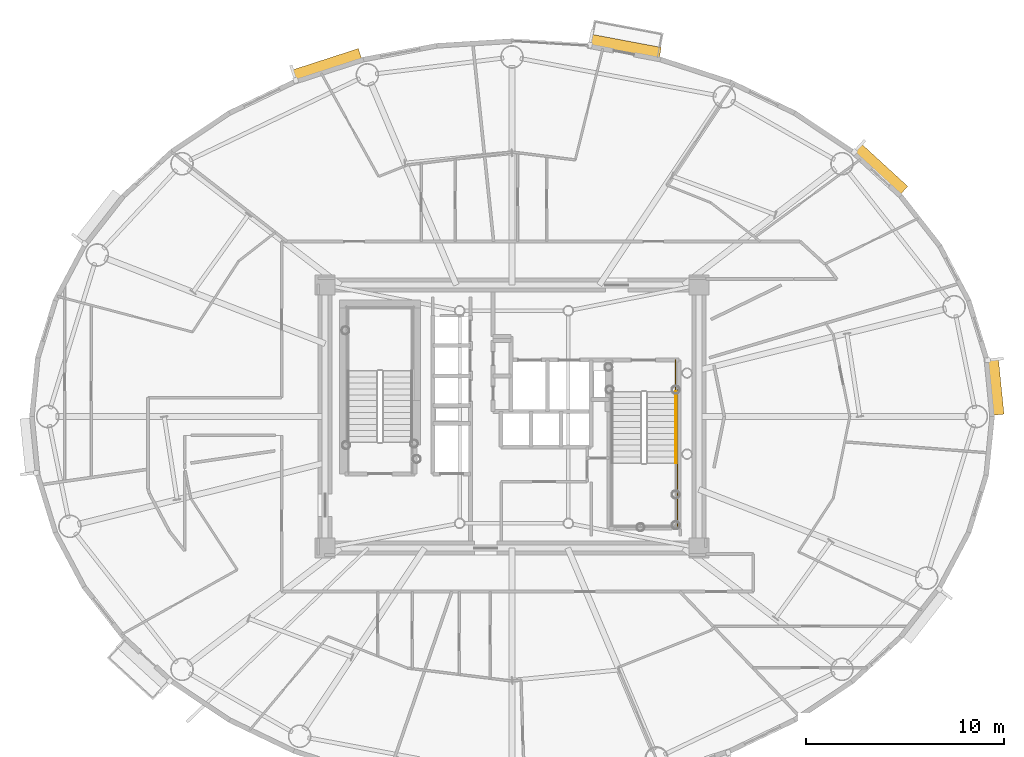
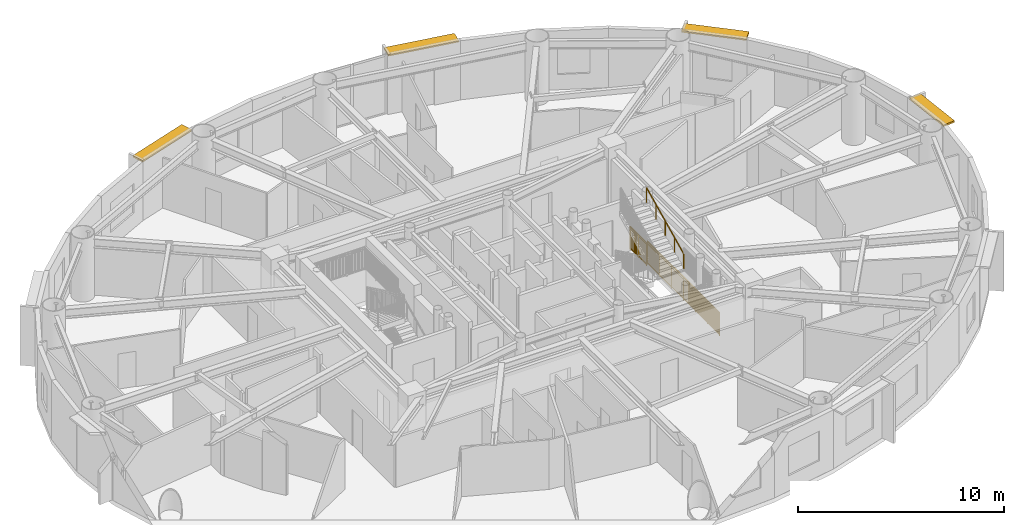
# One storey, part 19 of 20: 4 shading devices, 3 railings.
"""IFC4 building model written with IfcOpenShell, lengths in metres."""

from ifc_helpers import new_model, si_unit, direction, frame, origin, origin_2d, place, context, subcontext, project, spatial, rectangle, extrude, source, transform, mapped, material, layer, layer_set, type_object, element, save


model = new_model("IFC4")

# Units and contexts
model_context = context("Model", 3, precision=1e-05, world=origin(), true_north=direction((0.0, 1.0)))
body_context = subcontext(model_context, "Body", "Model", "MODEL_VIEW")
ifc_project = project(units=[si_unit("LENGTHUNIT", "METRE"), si_unit("AREAUNIT", "SQUARE_METRE"), si_unit("VOLUMEUNIT", "CUBIC_METRE"), si_unit("PLANEANGLEUNIT", "RADIAN"), si_unit("MASSUNIT", "GRAM", prefix="KILO")], contexts=[model_context])

# Site, building, storey
site_placement = place(None, origin())
site = spatial("IfcSite", under=ifc_project, at=site_placement, CompositionType="ELEMENT")
building_placement = place(site_placement, origin())
building = spatial("IfcBuilding", under=site, at=building_placement, Name="Linh Dai School and Residence Tower", CompositionType="ELEMENT")
storey_placement = place(building_placement, frame((0.0, 0.0, 232.800048828125)))
storey = spatial("IfcBuildingStorey", under=building, at=storey_placement, Name="L57", CompositionType="ELEMENT", Elevation=232.800048828125)

# Shading devices
ifc_material_1 = material(Name="Terracotta Ceramic Sunshade", Category="masonry")
ifc_layer = layer(ifc_material_1, 0.10009765625)
ifc_layer_set = layer_set([ifc_layer], Name="Terracotta Ceramic Sunshade")
shading_device_type = type_object("IfcShadingDeviceType", Name="SHD-TC-650", PredefinedType="USERDEFINED", material=ifc_layer_set)
shared_shape_1 = source(origin(), body_context, "Body", "SweptSolid", [
    extrude(rectangle(XDim=2.859619140625, YDim=0.64990234375, at=origin_2d()), origin(), (0.0, 0.0, 1.0), 0.10009765625),
])
shading_device_1_placement = place(storey_placement, frame((60.40966796875, 28.510498046875, 3.3798828125), z_axis=(0.0, 0.0, 1.0), x_axis=(0.100012244219, -0.99498620644, 0.0)))
element("IfcShadingDevice", 1, at=shading_device_1_placement, inside=storey, type_object=shading_device_type, Name="L57 Terracotta Horizontal Sunshade Band 01", ObjectType="SUNSHADE", PredefinedType="USERDEFINED", context=body_context, shape_type="MappedRepresentation", body=[
    mapped(shared_shape_1, transform((0.0, 0.0, 0.0), x_axis=(1.0, 0.0, 0.0), y_axis=(0.0, 1.0, 0.0), z_axis=(0.0, 0.0, 1.0), scale=1.0)),
])
shared_shape_2 = source(origin(), body_context, "Body", "SweptSolid", [
    extrude(rectangle(XDim=3.219482421875, YDim=0.64990234375, at=origin_2d()), origin(), (0.0, 0.0, 1.0), 0.10009765625),
])
shading_device_2_placement = place(storey_placement, frame((54.60498046875, 39.48779296875, 3.3798828125), z_axis=(0.0, 0.0, 1.0), x_axis=(0.737123938446, -0.675757574408, 0.0)))
element("IfcShadingDevice", 2, at=shading_device_2_placement, inside=storey, type_object=shading_device_type, Name="L57 Terracotta Horizontal Sunshade Band 05", ObjectType="SUNSHADE", PredefinedType="USERDEFINED", context=body_context, shape_type="MappedRepresentation", body=[
    mapped(shared_shape_2, transform((0.0, 0.0, 0.0), x_axis=(1.0, 0.0, 0.0), y_axis=(0.0, 1.0, 0.0), z_axis=(0.0, 0.0, 1.0), scale=1.0)),
])
shared_shape_3 = source(origin(), body_context, "Body", "SweptSolid", [
    extrude(rectangle(XDim=3.62158203125, YDim=0.64990234375, at=origin_2d()), origin(), (0.0, 0.0, 1.0), 0.10009765625),
])
shading_device_3_placement = place(storey_placement, frame((41.7080078125, 45.67724609375, 3.3798828125), z_axis=(0.0, 0.0, 1.0), x_axis=(0.982786586765, -0.18474448537, 0.0)))
element("IfcShadingDevice", 3, at=shading_device_3_placement, inside=storey, type_object=shading_device_type, Name="L57 Terracotta Horizontal Sunshade Band 09", ObjectType="SUNSHADE", PredefinedType="USERDEFINED", context=body_context, shape_type="MappedRepresentation", body=[
    mapped(shared_shape_3, transform((0.0, 0.0, 0.0), x_axis=(1.0, 0.0, 0.0), y_axis=(0.0, 1.0, 0.0), z_axis=(0.0, 0.0, 1.0), scale=1.0)),
])
shared_shape_4 = source(origin(), body_context, "Body", "SweptSolid", [
    extrude(rectangle(XDim=3.554443359375, YDim=0.64990234375, at=origin_2d()), origin(), (0.0, 0.0, 1.0), 0.10009765625),
])
shading_device_4_placement = place(storey_placement, frame((26.641845703125, 44.748779296875, 3.3798828125), z_axis=(0.0, 0.0, 1.0), x_axis=(0.951223997135, 0.308501065272, 0.0)))
element("IfcShadingDevice", 4, at=shading_device_4_placement, inside=storey, type_object=shading_device_type, Name="L57 Terracotta Horizontal Sunshade Band 13", ObjectType="SUNSHADE", PredefinedType="USERDEFINED", context=body_context, shape_type="MappedRepresentation", body=[
    mapped(shared_shape_4, transform((0.0, 0.0, 0.0), x_axis=(1.0, 0.0, 0.0), y_axis=(0.0, 1.0, 0.0), z_axis=(0.0, 0.0, 1.0), scale=1.0)),
])

# Railings
ifc_material_2 = material(Name="Brushed Stainless Steel Handrail", Category="steel")
railing_type_1 = type_object("IfcRailingType", Name="RL-ST-HANDRAIL-900", PredefinedType="HANDRAIL", material=ifc_material_2)
shared_shape_5 = source(origin(), body_context, "Body", "SweptSolid", [
    extrude(rectangle(XDim=0.048095703125, YDim=0.048095703125, at=origin_2d()), frame((0.0, 0.0, 0.8759765625), z_axis=(0.0, 0.901262522062, 0.433273431364), x_axis=(-1.0, 0.0, 0.0)), (0.0, 0.0, 1.0), 3.994384765625),
    extrude(rectangle(XDim=0.0419921875, YDim=0.0419921875, at=origin_2d()), origin(), (0.0, 0.0, 1.0), 0.8759765625),
    extrude(rectangle(XDim=0.0419921875, YDim=0.0419921875, at=origin_2d()), frame((0.0, 0.89990234375, 0.4326171875)), (0.0, 0.0, 1.0), 0.8759765625),
    extrude(rectangle(XDim=0.0419921875, YDim=0.0419921875, at=origin_2d()), frame((0.0, 1.800048828125, 0.865234375)), (0.0, 0.0, 1.0), 0.8759765625),
    extrude(rectangle(XDim=0.0419921875, YDim=0.0419921875, at=origin_2d()), frame((0.0, 2.7001953125, 1.298095703125)), (0.0, 0.0, 1.0), 0.8759765625),
    extrude(rectangle(XDim=0.0419921875, YDim=0.0419921875, at=origin_2d()), frame((0.0, 3.60009765625, 1.730712890625)), (0.0, 0.0, 1.0), 0.8759765625),
])
railing_1_placement = place(storey_placement, frame((44.27001953125, 24.64990234375, 2.019287109375)))
element("IfcRailing", 5, at=railing_1_placement, inside=storey, type_object=railing_type_1, Name="L57 ST2 stair handrail 2", PredefinedType="HANDRAIL", context=body_context, shape_type="MappedRepresentation", body=[
    mapped(shared_shape_5, transform((0.0, 0.0, 0.0), x_axis=(1.0, 0.0, 0.0), y_axis=(0.0, 1.0, 0.0), z_axis=(0.0, 0.0, 1.0), scale=1.0)),
])
ifc_material_3 = material(Name="Structural Steel S355JR", Category="steel")
railing_type_2 = type_object("IfcRailingType", Name="RL-ST-GUARD-1400", PredefinedType="GUARDRAIL", material=ifc_material_3)
shared_shape_6 = source(origin(), body_context, "Body", "SweptSolid", [
    extrude(rectangle(XDim=0.048095703125, YDim=0.048095703125, at=origin_2d()), frame((0.0, 0.0, 1.3759765625), z_axis=(0.0, -1.0, 0.0), x_axis=(1.0, 0.0, 0.0)), (0.0, 0.0, 1.0), 1.60009765625),
    extrude(rectangle(XDim=0.048095703125, YDim=0.048095703125, at=origin_2d()), frame((0.0, 0.0, 0.10009765625), z_axis=(0.0, -1.0, 0.0), x_axis=(1.0, 0.0, 0.0)), (0.0, 0.0, 1.0), 1.60009765625),
    extrude(rectangle(XDim=0.030029296875, YDim=0.030029296875, at=origin_2d()), frame((0.0, 0.0, 1.239990234375), z_axis=(0.0, -1.0, 0.0), x_axis=(1.0, 0.0, 0.0)), (0.0, 0.0, 1.0), 1.60009765625),
    extrude(rectangle(XDim=0.02001953125, YDim=0.02001953125, at=origin_2d()), frame((0.0, -0.09423828125, 0.10009765625)), (0.0, 0.0, 1.0), 1.251708984375),
    extrude(rectangle(XDim=0.02001953125, YDim=0.02001953125, at=origin_2d()), frame((0.0, -0.188232421875, 0.10009765625)), (0.0, 0.0, 1.0), 1.251708984375),
    extrude(rectangle(XDim=0.02001953125, YDim=0.02001953125, at=origin_2d()), frame((0.0, -0.282470703125, 0.10009765625)), (0.0, 0.0, 1.0), 1.251708984375),
    extrude(rectangle(XDim=0.02001953125, YDim=0.02001953125, at=origin_2d()), frame((0.0, -0.37646484375, 0.10009765625)), (0.0, 0.0, 1.0), 1.251708984375),
    extrude(rectangle(XDim=0.02001953125, YDim=0.02001953125, at=origin_2d()), frame((0.0, -0.470703125, 0.10009765625)), (0.0, 0.0, 1.0), 1.251708984375),
    extrude(rectangle(XDim=0.02001953125, YDim=0.02001953125, at=origin_2d()), frame((0.0, -0.564697265625, 0.10009765625)), (0.0, 0.0, 1.0), 1.251708984375),
    extrude(rectangle(XDim=0.02001953125, YDim=0.02001953125, at=origin_2d()), frame((0.0, -0.658935546875, 0.10009765625)), (0.0, 0.0, 1.0), 1.251708984375),
    extrude(rectangle(XDim=0.02001953125, YDim=0.02001953125, at=origin_2d()), frame((0.0, -0.7529296875, 0.10009765625)), (0.0, 0.0, 1.0), 1.251708984375),
    extrude(rectangle(XDim=0.02001953125, YDim=0.02001953125, at=origin_2d()), frame((0.0, -0.84716796875, 0.10009765625)), (0.0, 0.0, 1.0), 1.251708984375),
    extrude(rectangle(XDim=0.02001953125, YDim=0.02001953125, at=origin_2d()), frame((0.0, -0.941162109375, 0.10009765625)), (0.0, 0.0, 1.0), 1.251708984375),
    extrude(rectangle(XDim=0.02001953125, YDim=0.02001953125, at=origin_2d()), frame((0.0, -1.035400390625, 0.10009765625)), (0.0, 0.0, 1.0), 1.251708984375),
    extrude(rectangle(XDim=0.02001953125, YDim=0.02001953125, at=origin_2d()), frame((0.0, -1.12939453125, 0.10009765625)), (0.0, 0.0, 1.0), 1.251708984375),
    extrude(rectangle(XDim=0.02001953125, YDim=0.02001953125, at=origin_2d()), frame((0.0, -1.2236328125, 0.10009765625)), (0.0, 0.0, 1.0), 1.251708984375),
    extrude(rectangle(XDim=0.02001953125, YDim=0.02001953125, at=origin_2d()), frame((0.0, -1.317626953125, 0.10009765625)), (0.0, 0.0, 1.0), 1.251708984375),
    extrude(rectangle(XDim=0.02001953125, YDim=0.02001953125, at=origin_2d()), frame((0.0, -1.411865234375, 0.10009765625)), (0.0, 0.0, 1.0), 1.251708984375),
    extrude(rectangle(XDim=0.02001953125, YDim=0.02001953125, at=origin_2d()), frame((0.0, -1.505859375, 0.10009765625)), (0.0, 0.0, 1.0), 1.251708984375),
    extrude(rectangle(XDim=0.0419921875, YDim=0.0419921875, at=origin_2d()), origin(), (0.0, 0.0, 1.0), 1.3759765625),
    extrude(rectangle(XDim=0.0419921875, YDim=0.0419921875, at=origin_2d()), frame((0.0, -0.800048828125, 0.0)), (0.0, 0.0, 1.0), 1.3759765625),
    extrude(rectangle(XDim=0.0419921875, YDim=0.0419921875, at=origin_2d()), frame((0.0, -1.60009765625, 0.0)), (0.0, 0.0, 1.0), 1.3759765625),
])
railing_2_placement = place(storey_placement, frame((44.27001953125, 29.85009765625, 0.0)))
element("IfcRailing", 6, at=railing_2_placement, inside=storey, type_object=railing_type_2, Name="L57 ST2 stair guard 9", PredefinedType="GUARDRAIL", context=body_context, shape_type="MappedRepresentation", body=[
    mapped(shared_shape_6, transform((0.0, 0.0, 0.0), x_axis=(1.0, 0.0, 0.0), y_axis=(0.0, 1.0, 0.0), z_axis=(0.0, 0.0, 1.0), scale=1.0)),
])
shared_shape_7 = source(origin(), body_context, "Body", "SweptSolid", [
    extrude(rectangle(XDim=0.048095703125, YDim=0.048095703125, at=origin_2d()), frame((0.0, 0.0, 1.3759765625), z_axis=(0.0, -1.0, 0.0), x_axis=(1.0, 0.0, 0.0)), (0.0, 0.0, 1.0), 7.0),
    extrude(rectangle(XDim=0.048095703125, YDim=0.048095703125, at=origin_2d()), frame((0.0, 0.0, 0.10009765625), z_axis=(0.0, -1.0, 0.0), x_axis=(1.0, 0.0, 0.0)), (0.0, 0.0, 1.0), 7.0),
    extrude(rectangle(XDim=0.030029296875, YDim=0.030029296875, at=origin_2d()), frame((0.0, 0.0, 1.239990234375), z_axis=(0.0, -1.0, 0.0), x_axis=(1.0, 0.0, 0.0)), (0.0, 0.0, 1.0), 7.0),
    extrude(rectangle(XDim=0.02001953125, YDim=0.02001953125, at=origin_2d()), frame((0.0, -0.09716796875, 0.10009765625)), (0.0, 0.0, 1.0), 1.251708984375),
    extrude(rectangle(XDim=0.02001953125, YDim=0.02001953125, at=origin_2d()), frame((0.0, -0.1943359375, 0.10009765625)), (0.0, 0.0, 1.0), 1.251708984375),
    extrude(rectangle(XDim=0.02001953125, YDim=0.02001953125, at=origin_2d()), frame((0.0, -0.291748046875, 0.10009765625)), (0.0, 0.0, 1.0), 1.251708984375),
    extrude(rectangle(XDim=0.02001953125, YDim=0.02001953125, at=origin_2d()), frame((0.0, -0.388916015625, 0.10009765625)), (0.0, 0.0, 1.0), 1.251708984375),
    extrude(rectangle(XDim=0.02001953125, YDim=0.02001953125, at=origin_2d()), frame((0.0, -0.486083984375, 0.10009765625)), (0.0, 0.0, 1.0), 1.251708984375),
    extrude(rectangle(XDim=0.02001953125, YDim=0.02001953125, at=origin_2d()), frame((0.0, -0.583251953125, 0.10009765625)), (0.0, 0.0, 1.0), 1.251708984375),
    extrude(rectangle(XDim=0.02001953125, YDim=0.02001953125, at=origin_2d()), frame((0.0, -0.6806640625, 0.10009765625)), (0.0, 0.0, 1.0), 1.251708984375),
    extrude(rectangle(XDim=0.02001953125, YDim=0.02001953125, at=origin_2d()), frame((0.0, -0.77783203125, 0.10009765625)), (0.0, 0.0, 1.0), 1.251708984375),
    extrude(rectangle(XDim=0.02001953125, YDim=0.02001953125, at=origin_2d()), frame((0.0, -0.875, 0.10009765625)), (0.0, 0.0, 1.0), 1.251708984375),
    extrude(rectangle(XDim=0.02001953125, YDim=0.02001953125, at=origin_2d()), frame((0.0, -0.97216796875, 0.10009765625)), (0.0, 0.0, 1.0), 1.251708984375),
    extrude(rectangle(XDim=0.02001953125, YDim=0.02001953125, at=origin_2d()), frame((0.0, -1.0693359375, 0.10009765625)), (0.0, 0.0, 1.0), 1.251708984375),
    extrude(rectangle(XDim=0.02001953125, YDim=0.02001953125, at=origin_2d()), frame((0.0, -1.263916015625, 0.10009765625)), (0.0, 0.0, 1.0), 1.251708984375),
    extrude(rectangle(XDim=0.02001953125, YDim=0.02001953125, at=origin_2d()), frame((0.0, -1.361083984375, 0.10009765625)), (0.0, 0.0, 1.0), 1.251708984375),
    extrude(rectangle(XDim=0.02001953125, YDim=0.02001953125, at=origin_2d()), frame((0.0, -1.458251953125, 0.10009765625)), (0.0, 0.0, 1.0), 1.251708984375),
    extrude(rectangle(XDim=0.02001953125, YDim=0.02001953125, at=origin_2d()), frame((0.0, -1.5556640625, 0.10009765625)), (0.0, 0.0, 1.0), 1.251708984375),
    extrude(rectangle(XDim=0.02001953125, YDim=0.02001953125, at=origin_2d()), frame((0.0, -1.65283203125, 0.10009765625)), (0.0, 0.0, 1.0), 1.251708984375),
    extrude(rectangle(XDim=0.02001953125, YDim=0.02001953125, at=origin_2d()), frame((0.0, -1.75, 0.10009765625)), (0.0, 0.0, 1.0), 1.251708984375),
    extrude(rectangle(XDim=0.02001953125, YDim=0.02001953125, at=origin_2d()), frame((0.0, -1.84716796875, 0.10009765625)), (0.0, 0.0, 1.0), 1.251708984375),
    extrude(rectangle(XDim=0.02001953125, YDim=0.02001953125, at=origin_2d()), frame((0.0, -1.9443359375, 0.10009765625)), (0.0, 0.0, 1.0), 1.251708984375),
    extrude(rectangle(XDim=0.02001953125, YDim=0.02001953125, at=origin_2d()), frame((0.0, -2.041748046875, 0.10009765625)), (0.0, 0.0, 1.0), 1.251708984375),
    extrude(rectangle(XDim=0.02001953125, YDim=0.02001953125, at=origin_2d()), frame((0.0, -2.138916015625, 0.10009765625)), (0.0, 0.0, 1.0), 1.251708984375),
    extrude(rectangle(XDim=0.02001953125, YDim=0.02001953125, at=origin_2d()), frame((0.0, -2.236083984375, 0.10009765625)), (0.0, 0.0, 1.0), 1.251708984375),
    extrude(rectangle(XDim=0.02001953125, YDim=0.02001953125, at=origin_2d()), frame((0.0, -2.4306640625, 0.10009765625)), (0.0, 0.0, 1.0), 1.251708984375),
    extrude(rectangle(XDim=0.02001953125, YDim=0.02001953125, at=origin_2d()), frame((0.0, -2.52783203125, 0.10009765625)), (0.0, 0.0, 1.0), 1.251708984375),
    extrude(rectangle(XDim=0.02001953125, YDim=0.02001953125, at=origin_2d()), frame((0.0, -2.625, 0.10009765625)), (0.0, 0.0, 1.0), 1.251708984375),
    extrude(rectangle(XDim=0.02001953125, YDim=0.02001953125, at=origin_2d()), frame((0.0, -2.72216796875, 0.10009765625)), (0.0, 0.0, 1.0), 1.251708984375),
    extrude(rectangle(XDim=0.02001953125, YDim=0.02001953125, at=origin_2d()), frame((0.0, -2.8193359375, 0.10009765625)), (0.0, 0.0, 1.0), 1.251708984375),
    extrude(rectangle(XDim=0.02001953125, YDim=0.02001953125, at=origin_2d()), frame((0.0, -2.916748046875, 0.10009765625)), (0.0, 0.0, 1.0), 1.251708984375),
    extrude(rectangle(XDim=0.02001953125, YDim=0.02001953125, at=origin_2d()), frame((0.0, -3.013916015625, 0.10009765625)), (0.0, 0.0, 1.0), 1.251708984375),
    extrude(rectangle(XDim=0.02001953125, YDim=0.02001953125, at=origin_2d()), frame((0.0, -3.111083984375, 0.10009765625)), (0.0, 0.0, 1.0), 1.251708984375),
    extrude(rectangle(XDim=0.02001953125, YDim=0.02001953125, at=origin_2d()), frame((0.0, -3.208251953125, 0.10009765625)), (0.0, 0.0, 1.0), 1.251708984375),
    extrude(rectangle(XDim=0.02001953125, YDim=0.02001953125, at=origin_2d()), frame((0.0, -3.3056640625, 0.10009765625)), (0.0, 0.0, 1.0), 1.251708984375),
    extrude(rectangle(XDim=0.02001953125, YDim=0.02001953125, at=origin_2d()), frame((0.0, -3.40283203125, 0.10009765625)), (0.0, 0.0, 1.0), 1.251708984375),
    extrude(rectangle(XDim=0.02001953125, YDim=0.02001953125, at=origin_2d()), frame((0.0, -3.59716796875, 0.10009765625)), (0.0, 0.0, 1.0), 1.251708984375),
    extrude(rectangle(XDim=0.02001953125, YDim=0.02001953125, at=origin_2d()), frame((0.0, -3.6943359375, 0.10009765625)), (0.0, 0.0, 1.0), 1.251708984375),
    extrude(rectangle(XDim=0.02001953125, YDim=0.02001953125, at=origin_2d()), frame((0.0, -3.791748046875, 0.10009765625)), (0.0, 0.0, 1.0), 1.251708984375),
    extrude(rectangle(XDim=0.02001953125, YDim=0.02001953125, at=origin_2d()), frame((0.0, -3.888916015625, 0.10009765625)), (0.0, 0.0, 1.0), 1.251708984375),
    extrude(rectangle(XDim=0.02001953125, YDim=0.02001953125, at=origin_2d()), frame((0.0, -3.986083984375, 0.10009765625)), (0.0, 0.0, 1.0), 1.251708984375),
    extrude(rectangle(XDim=0.02001953125, YDim=0.02001953125, at=origin_2d()), frame((0.0, -4.083251953125, 0.10009765625)), (0.0, 0.0, 1.0), 1.251708984375),
    extrude(rectangle(XDim=0.02001953125, YDim=0.02001953125, at=origin_2d()), frame((0.0, -4.1806640625, 0.10009765625)), (0.0, 0.0, 1.0), 1.251708984375),
    extrude(rectangle(XDim=0.02001953125, YDim=0.02001953125, at=origin_2d()), frame((0.0, -4.27783203125, 0.10009765625)), (0.0, 0.0, 1.0), 1.251708984375),
    extrude(rectangle(XDim=0.02001953125, YDim=0.02001953125, at=origin_2d()), frame((0.0, -4.375, 0.10009765625)), (0.0, 0.0, 1.0), 1.251708984375),
    extrude(rectangle(XDim=0.02001953125, YDim=0.02001953125, at=origin_2d()), frame((0.0, -4.47216796875, 0.10009765625)), (0.0, 0.0, 1.0), 1.251708984375),
    extrude(rectangle(XDim=0.02001953125, YDim=0.02001953125, at=origin_2d()), frame((0.0, -4.5693359375, 0.10009765625)), (0.0, 0.0, 1.0), 1.251708984375),
    extrude(rectangle(XDim=0.02001953125, YDim=0.02001953125, at=origin_2d()), frame((0.0, -4.763916015625, 0.10009765625)), (0.0, 0.0, 1.0), 1.251708984375),
    extrude(rectangle(XDim=0.02001953125, YDim=0.02001953125, at=origin_2d()), frame((0.0, -4.861083984375, 0.10009765625)), (0.0, 0.0, 1.0), 1.251708984375),
    extrude(rectangle(XDim=0.02001953125, YDim=0.02001953125, at=origin_2d()), frame((0.0, -4.958251953125, 0.10009765625)), (0.0, 0.0, 1.0), 1.251708984375),
    extrude(rectangle(XDim=0.02001953125, YDim=0.02001953125, at=origin_2d()), frame((0.0, -5.0556640625, 0.10009765625)), (0.0, 0.0, 1.0), 1.251708984375),
    extrude(rectangle(XDim=0.02001953125, YDim=0.02001953125, at=origin_2d()), frame((0.0, -5.15283203125, 0.10009765625)), (0.0, 0.0, 1.0), 1.251708984375),
    extrude(rectangle(XDim=0.02001953125, YDim=0.02001953125, at=origin_2d()), frame((0.0, -5.25, 0.10009765625)), (0.0, 0.0, 1.0), 1.251708984375),
    extrude(rectangle(XDim=0.02001953125, YDim=0.02001953125, at=origin_2d()), frame((0.0, -5.34716796875, 0.10009765625)), (0.0, 0.0, 1.0), 1.251708984375),
    extrude(rectangle(XDim=0.02001953125, YDim=0.02001953125, at=origin_2d()), frame((0.0, -5.4443359375, 0.10009765625)), (0.0, 0.0, 1.0), 1.251708984375),
    extrude(rectangle(XDim=0.02001953125, YDim=0.02001953125, at=origin_2d()), frame((0.0, -5.541748046875, 0.10009765625)), (0.0, 0.0, 1.0), 1.251708984375),
    extrude(rectangle(XDim=0.02001953125, YDim=0.02001953125, at=origin_2d()), frame((0.0, -5.638916015625, 0.10009765625)), (0.0, 0.0, 1.0), 1.251708984375),
    extrude(rectangle(XDim=0.02001953125, YDim=0.02001953125, at=origin_2d()), frame((0.0, -5.736083984375, 0.10009765625)), (0.0, 0.0, 1.0), 1.251708984375),
    extrude(rectangle(XDim=0.02001953125, YDim=0.02001953125, at=origin_2d()), frame((0.0, -5.9306640625, 0.10009765625)), (0.0, 0.0, 1.0), 1.251708984375),
    extrude(rectangle(XDim=0.02001953125, YDim=0.02001953125, at=origin_2d()), frame((0.0, -6.02783203125, 0.10009765625)), (0.0, 0.0, 1.0), 1.251708984375),
    extrude(rectangle(XDim=0.02001953125, YDim=0.02001953125, at=origin_2d()), frame((0.0, -6.125, 0.10009765625)), (0.0, 0.0, 1.0), 1.251708984375),
    extrude(rectangle(XDim=0.02001953125, YDim=0.02001953125, at=origin_2d()), frame((0.0, -6.22216796875, 0.10009765625)), (0.0, 0.0, 1.0), 1.251708984375),
    extrude(rectangle(XDim=0.02001953125, YDim=0.02001953125, at=origin_2d()), frame((0.0, -6.3193359375, 0.10009765625)), (0.0, 0.0, 1.0), 1.251708984375),
    extrude(rectangle(XDim=0.02001953125, YDim=0.02001953125, at=origin_2d()), frame((0.0, -6.416748046875, 0.10009765625)), (0.0, 0.0, 1.0), 1.251708984375),
    extrude(rectangle(XDim=0.02001953125, YDim=0.02001953125, at=origin_2d()), frame((0.0, -6.513916015625, 0.10009765625)), (0.0, 0.0, 1.0), 1.251708984375),
    extrude(rectangle(XDim=0.02001953125, YDim=0.02001953125, at=origin_2d()), frame((0.0, -6.611083984375, 0.10009765625)), (0.0, 0.0, 1.0), 1.251708984375),
    extrude(rectangle(XDim=0.02001953125, YDim=0.02001953125, at=origin_2d()), frame((0.0, -6.708251953125, 0.10009765625)), (0.0, 0.0, 1.0), 1.251708984375),
    extrude(rectangle(XDim=0.02001953125, YDim=0.02001953125, at=origin_2d()), frame((0.0, -6.8056640625, 0.10009765625)), (0.0, 0.0, 1.0), 1.251708984375),
    extrude(rectangle(XDim=0.02001953125, YDim=0.02001953125, at=origin_2d()), frame((0.0, -6.90283203125, 0.10009765625)), (0.0, 0.0, 1.0), 1.251708984375),
    extrude(rectangle(XDim=0.0419921875, YDim=0.0419921875, at=origin_2d()), origin(), (0.0, 0.0, 1.0), 1.3759765625),
    extrude(rectangle(XDim=0.0419921875, YDim=0.0419921875, at=origin_2d()), frame((0.0, -1.166748046875, 0.0)), (0.0, 0.0, 1.0), 1.3759765625),
    extrude(rectangle(XDim=0.0419921875, YDim=0.0419921875, at=origin_2d()), frame((0.0, -2.333251953125, 0.0)), (0.0, 0.0, 1.0), 1.3759765625),
    extrude(rectangle(XDim=0.0419921875, YDim=0.0419921875, at=origin_2d()), frame((0.0, -3.5, 0.0)), (0.0, 0.0, 1.0), 1.3759765625),
    extrude(rectangle(XDim=0.0419921875, YDim=0.0419921875, at=origin_2d()), frame((0.0, -4.666748046875, 0.0)), (0.0, 0.0, 1.0), 1.3759765625),
    extrude(rectangle(XDim=0.0419921875, YDim=0.0419921875, at=origin_2d()), frame((0.0, -5.833251953125, 0.0)), (0.0, 0.0, 1.0), 1.3759765625),
    extrude(rectangle(XDim=0.0419921875, YDim=0.0419921875, at=origin_2d()), frame((0.0, -7.0, 0.0)), (0.0, 0.0, 1.0), 1.3759765625),
])
railing_3_placement = place(storey_placement, frame((44.3701171875, 28.35009765625, 0.0)))
element("IfcRailing", 7, at=railing_3_placement, inside=storey, type_object=railing_type_2, Name="L57 ST2 stair guard 11", PredefinedType="GUARDRAIL", context=body_context, shape_type="MappedRepresentation", body=[
    mapped(shared_shape_7, transform((0.0, 0.0, 0.0), x_axis=(1.0, 0.0, 0.0), y_axis=(0.0, 1.0, 0.0), z_axis=(0.0, 0.0, 1.0), scale=1.0)),
])

save(model, "model.ifc")
